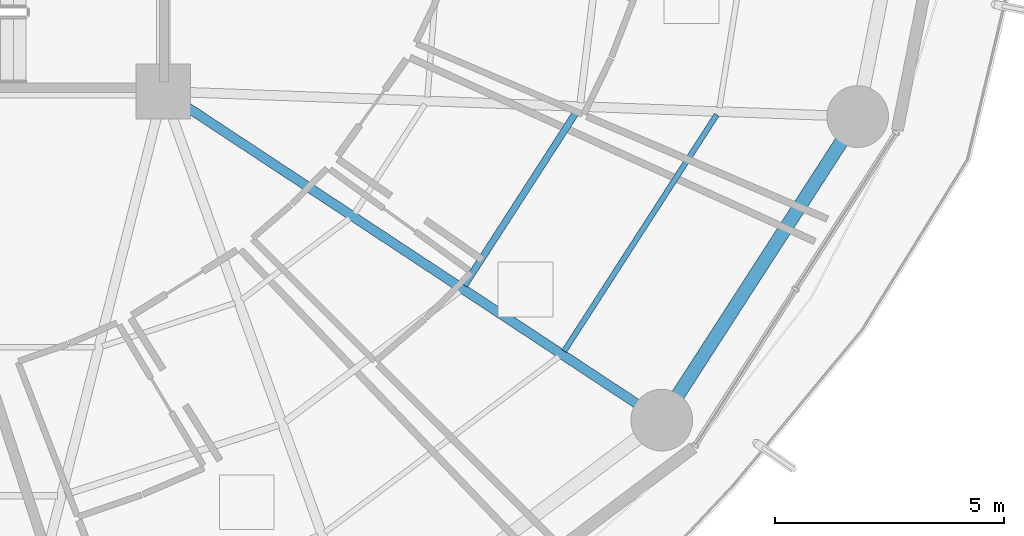
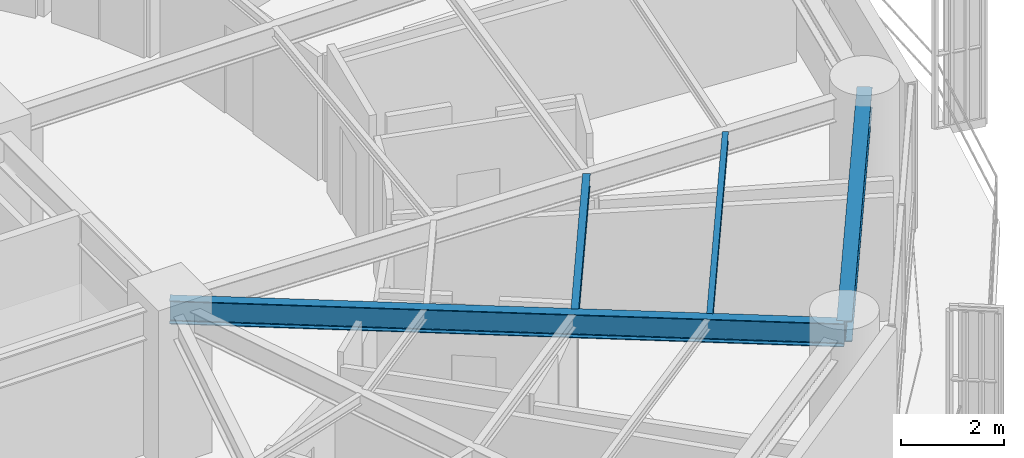
# One storey, part 13 of 37: 4 beams.
"""IFC4 building model written with IfcOpenShell, lengths in metres."""

from ifc_helpers import new_model, si_unit, direction, frame, origin, origin_2d, place, context, subcontext, project, spatial, i_section, extrude, material, material_profile, profile_set, type_object, element, save


model = new_model("IFC4")

# Units and contexts
model_context = context("Model", 3, precision=1e-05, world=origin(), true_north=direction((0.0, 1.0)))
body_context = subcontext(model_context, "Body", "Model", "MODEL_VIEW")
ifc_project = project(units=[si_unit("LENGTHUNIT", "METRE"), si_unit("AREAUNIT", "SQUARE_METRE"), si_unit("VOLUMEUNIT", "CUBIC_METRE"), si_unit("PLANEANGLEUNIT", "RADIAN"), si_unit("MASSUNIT", "GRAM", prefix="KILO")], contexts=[model_context])

# Site, building, storey
site_placement = place(None, origin())
site = spatial("IfcSite", under=ifc_project, at=site_placement, CompositionType="ELEMENT")
building_placement = place(site_placement, origin())
building = spatial("IfcBuilding", under=site, at=building_placement, Name="Kelanora Arch Commons", CompositionType="ELEMENT")
storey_placement = place(building_placement, frame((0.0, 0.0, 110.10009765625)))
storey = spatial("IfcBuildingStorey", under=building, at=storey_placement, Name="L28", CompositionType="ELEMENT", Elevation=110.10009765625)

# Beams
ifc_material = material(Name="Steel S355", Category="steel")
ifc_material_profile_1 = material_profile(ifc_material, i_section(OverallWidth=0.14990234375, OverallDepth=0.300048828125, WebThickness=0.007080078125, FlangeThickness=0.0107421875, FilletRadius=0.014892578125, at=origin_2d()), Name="IPE300")
ifc_profile_set_1 = profile_set([ifc_material_profile_1], Name="Steel S355")
beam_type_1 = type_object("IfcBeamType", Name="BM-JST-01", PredefinedType="JOIST", material=ifc_profile_set_1)
beam_1_placement = place(storey_placement, frame((88.589599609375, 46.755615234375, 3.33984375), z_axis=(0.542230243286, 0.840229946661, 0.0), x_axis=(-0.840229946661, 0.542230243286, 0.0)))
element("IfcBeam", 1, at=beam_1_placement, inside=storey, type_object=beam_type_1, Name="Secondary Chord Joist BJB-32 L28", PredefinedType="JOIST", context=body_context, shape_type="SweptSolid", body=[
    extrude(i_section(OverallWidth=0.14990234375, OverallDepth=0.300048828125, WebThickness=0.007080078125, FlangeThickness=0.0107421875, FilletRadius=0.014892578125, at=origin_2d()), origin(), (0.0, 0.0, 1.0), 4.572265625),
])
ifc_material_profile_2 = material_profile(ifc_material, i_section(OverallWidth=0.1201171875, OverallDepth=0.239990234375, WebThickness=0.006103515625, FlangeThickness=0.009765625, FilletRadius=0.014892578125, at=origin_2d()), Name="IPE240")
ifc_profile_set_2 = profile_set([ifc_material_profile_2], Name="Steel S355")
beam_type_2 = type_object("IfcBeamType", Name="BM-JST-02", PredefinedType="JOIST", material=ifc_profile_set_2)
beam_2_placement = place(storey_placement, frame((90.77099609375, 45.317138671875, 3.369873046875), z_axis=(0.542212726273, 0.840241250754, 0.0), x_axis=(-0.840241250754, 0.542212726273, 0.0)))
element("IfcBeam", 2, at=beam_2_placement, inside=storey, type_object=beam_type_2, Name="Secondary Chord Joist BJC-32 L28", PredefinedType="JOIST", context=body_context, shape_type="SweptSolid", body=[
    extrude(i_section(OverallWidth=0.1201171875, OverallDepth=0.239990234375, WebThickness=0.006103515625, FlangeThickness=0.009765625, FilletRadius=0.014892578125, at=origin_2d()), origin(), (0.0, 0.0, 1.0), 6.15283203125),
])
ifc_material_profile_3 = material_profile(ifc_material, i_section(OverallWidth=0.2099609375, OverallDepth=0.550048828125, WebThickness=0.010986328125, FlangeThickness=0.01708984375, FilletRadius=0.02392578125, at=origin_2d()), Name="IPE550")
ifc_profile_set_3 = profile_set([ifc_material_profile_3], Name="Steel S355")
beam_type_3 = type_object("IfcBeamType", Name="BM-RAD-Z2", PredefinedType="BEAM", material=ifc_profile_set_3)
beam_3_placement = place(storey_placement, frame((82.0, 51.0, 3.21484375), z_axis=(0.834788577908, -0.550570640512, 0.0), x_axis=(0.550570640512, 0.834788577908, 0.0)))
element("IfcBeam", 3, at=beam_3_placement, inside=storey, type_object=beam_type_3, Name="Radial Floor Girder BR-32 L28", PredefinedType="BEAM", context=body_context, shape_type="SweptSolid", body=[
    extrude(i_section(OverallWidth=0.2099609375, OverallDepth=0.550048828125, WebThickness=0.010986328125, FlangeThickness=0.01708984375, FilletRadius=0.02392578125, at=origin_2d()), origin(), (0.0, 0.0, 1.0), 13.064453125),
])
ifc_material_profile_4 = material_profile(ifc_material, i_section(OverallWidth=0.300048828125, OverallDepth=0.5, WebThickness=0.014404296875, FlangeThickness=0.028076171875, FilletRadius=0.027099609375, at=origin_2d()), Name="HEB500")
ifc_profile_set_4 = profile_set([ifc_material_profile_4], Name="Steel S355")
beam_type_4 = type_object("IfcBeamType", Name="BM-SPN-Z2", PredefinedType="SPANDREL", material=ifc_profile_set_4)
beam_4_placement = place(storey_placement, frame((92.906005859375, 43.80712890625, 3.239990234375), z_axis=(0.542221144054, 0.840235818649, 0.0), x_axis=(-0.840235818649, 0.542221144054, 0.0)))
element("IfcBeam", 4, at=beam_4_placement, inside=storey, type_object=beam_type_4, Name="Perimeter Spandrel Beam BS-32 L28", PredefinedType="SPANDREL", context=body_context, shape_type="SweptSolid", body=[
    extrude(i_section(OverallWidth=0.300048828125, OverallDepth=0.5, WebThickness=0.014404296875, FlangeThickness=0.028076171875, FilletRadius=0.027099609375, at=origin_2d()), origin(), (0.0, 0.0, 1.0), 7.90380859375),
])

save(model, "model.ifc")
